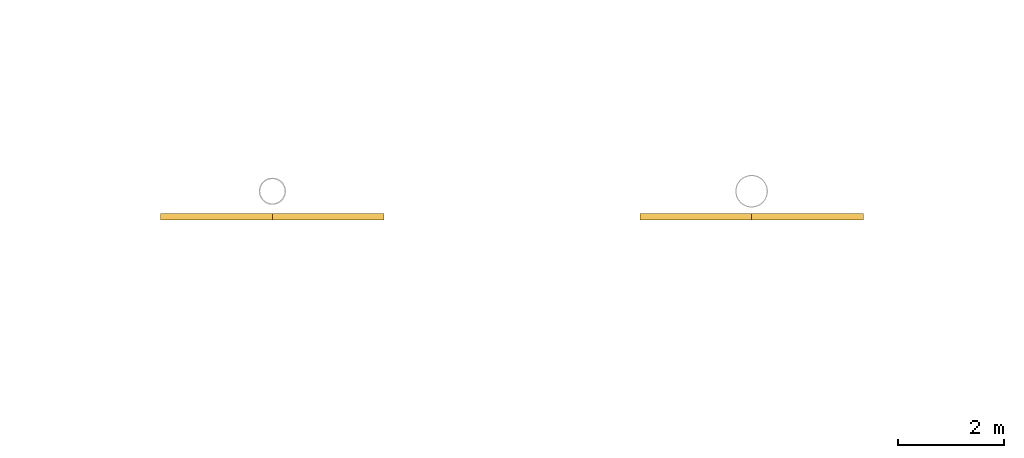
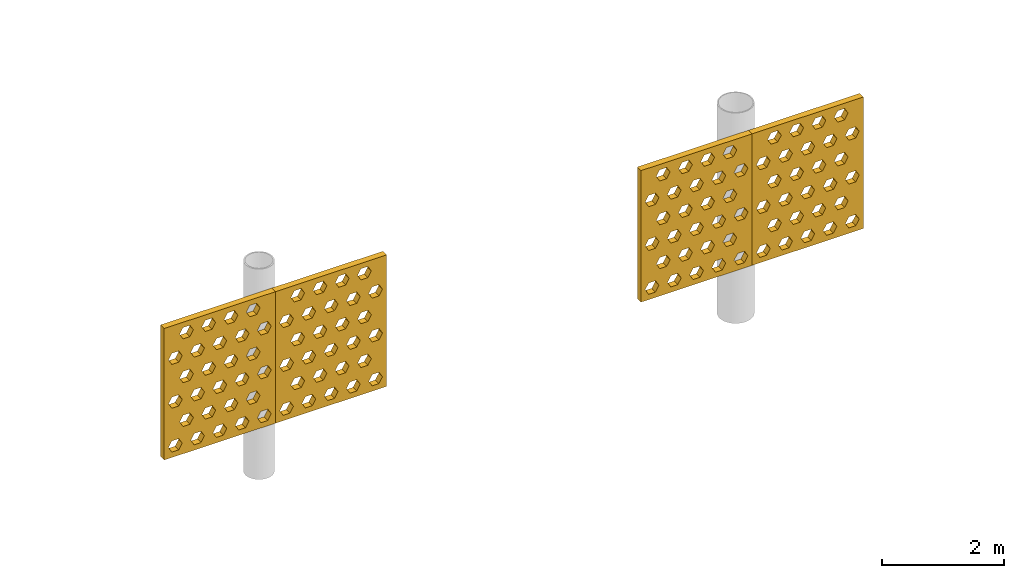
# One storey, part 109 of 123: 4 shading devices.
"""IFC4 building model written with IfcOpenShell, lengths in metres."""

from ifc_helpers import new_model, si_unit, direction, frame, origin, place, context, subcontext, project, spatial, polyline, outline, extrude, material, layer, layer_set, type_object, element, save


model = new_model("IFC4")

# Units and contexts
model_context = context("Model", 3, precision=1e-05, world=origin(), true_north=direction((0.0, 1.0)))
body_context = subcontext(model_context, "Body", "Model", "MODEL_VIEW")
ifc_project = project(units=[si_unit("LENGTHUNIT", "METRE"), si_unit("AREAUNIT", "SQUARE_METRE"), si_unit("VOLUMEUNIT", "CUBIC_METRE"), si_unit("PLANEANGLEUNIT", "RADIAN"), si_unit("MASSUNIT", "GRAM", prefix="KILO")], contexts=[model_context])

# Site, building, storey
site_placement = place(None, origin())
site = spatial("IfcSite", under=ifc_project, at=site_placement, CompositionType="ELEMENT")
building_placement = place(site_placement, origin())
building = spatial("IfcBuilding", under=site, at=building_placement, Name="Baradari Gate Terminus", CompositionType="ELEMENT")
storey_placement = place(building_placement, frame((0.0, 0.0, 7.5)))
storey = spatial("IfcBuildingStorey", under=building, at=storey_placement, Name="L01", CompositionType="ELEMENT", Elevation=7.5)

# Shading devices
ifc_material = material(Name="Concrete C50/60 precast", Category="concrete")
ifc_layer = layer(ifc_material, 0.1201171875)
ifc_layer_set = layer_set([ifc_layer], Name="Concrete C50/60 precast")
shading_device_type = type_object("IfcShadingDeviceType", Name="Jali screen panel JS-2 120", PredefinedType="SHUTTER", material=ifc_layer_set)
shading_device_1_placement = place(storey_placement, frame((222.89990234375, 35.52001953125, 1.27490234375), z_axis=(0.0, 0.0, 1.0), x_axis=(1.0, 0.0, 0.0)))
element("IfcShadingDevice", 1, at=shading_device_1_placement, inside=storey, type_object=shading_device_type, Name="Jali screen panel JS-2 SC07c row 4 panel 1", PredefinedType="SHUTTER", context=body_context, shape_type="SweptSolid", body=[
    extrude(outline(polyline([(0.0, 0.0), (2.10009765625, 0.0), (2.10009765625, 2.625), (0.0, 2.625), (0.0, 0.0)]), holes=[polyline([(0.340087890625, 0.21875), (0.27490234375, 0.106201171875), (0.14501953125, 0.106201171875), (0.080078125, 0.21875), (0.14501953125, 0.33154296875), (0.27490234375, 0.33154296875), (0.340087890625, 0.21875)]), polyline([(0.760009765625, 0.21875), (0.695068359375, 0.106201171875), (0.56494140625, 0.106201171875), (0.5, 0.21875), (0.56494140625, 0.33154296875), (0.695068359375, 0.33154296875), (0.760009765625, 0.21875)]), polyline([(1.179931640625, 0.21875), (1.114990234375, 0.106201171875), (0.985107421875, 0.106201171875), (0.919921875, 0.21875), (0.985107421875, 0.33154296875), (1.114990234375, 0.33154296875), (1.179931640625, 0.21875)]), polyline([(1.60009765625, 0.21875), (1.534912109375, 0.106201171875), (1.405029296875, 0.106201171875), (1.340087890625, 0.21875), (1.405029296875, 0.33154296875), (1.534912109375, 0.33154296875), (1.60009765625, 0.21875)]), polyline([(2.02001953125, 0.21875), (1.955078125, 0.106201171875), (1.824951171875, 0.106201171875), (1.760009765625, 0.21875), (1.824951171875, 0.33154296875), (1.955078125, 0.33154296875), (2.02001953125, 0.21875)]), polyline([(0.550048828125, 0.65625), (0.485107421875, 0.543701171875), (0.35498046875, 0.543701171875), (0.2900390625, 0.65625), (0.35498046875, 0.76904296875), (0.485107421875, 0.76904296875), (0.550048828125, 0.65625)]), polyline([(0.969970703125, 0.65625), (0.905029296875, 0.543701171875), (0.77490234375, 0.543701171875), (0.7099609375, 0.65625), (0.77490234375, 0.76904296875), (0.905029296875, 0.76904296875), (0.969970703125, 0.65625)]), polyline([(1.389892578125, 0.65625), (1.324951171875, 0.543701171875), (1.195068359375, 0.543701171875), (1.1298828125, 0.65625), (1.195068359375, 0.76904296875), (1.324951171875, 0.76904296875), (1.389892578125, 0.65625)]), polyline([(1.81005859375, 0.65625), (1.7451171875, 0.543701171875), (1.614990234375, 0.543701171875), (1.550048828125, 0.65625), (1.614990234375, 0.76904296875), (1.7451171875, 0.76904296875), (1.81005859375, 0.65625)]), polyline([(0.340087890625, 1.09375), (0.27490234375, 0.981201171875), (0.14501953125, 0.981201171875), (0.080078125, 1.09375), (0.14501953125, 1.20654296875), (0.27490234375, 1.20654296875), (0.340087890625, 1.09375)]), polyline([(0.760009765625, 1.09375), (0.695068359375, 0.981201171875), (0.56494140625, 0.981201171875), (0.5, 1.09375), (0.56494140625, 1.20654296875), (0.695068359375, 1.20654296875), (0.760009765625, 1.09375)]), polyline([(1.179931640625, 1.09375), (1.114990234375, 0.981201171875), (0.985107421875, 0.981201171875), (0.919921875, 1.09375), (0.985107421875, 1.20654296875), (1.114990234375, 1.20654296875), (1.179931640625, 1.09375)]), polyline([(1.60009765625, 1.09375), (1.534912109375, 0.981201171875), (1.405029296875, 0.981201171875), (1.340087890625, 1.09375), (1.405029296875, 1.20654296875), (1.534912109375, 1.20654296875), (1.60009765625, 1.09375)]), polyline([(2.02001953125, 1.09375), (1.955078125, 0.981201171875), (1.824951171875, 0.981201171875), (1.760009765625, 1.09375), (1.824951171875, 1.20654296875), (1.955078125, 1.20654296875), (2.02001953125, 1.09375)]), polyline([(0.550048828125, 1.53125), (0.485107421875, 1.418701171875), (0.35498046875, 1.418701171875), (0.2900390625, 1.53125), (0.35498046875, 1.64404296875), (0.485107421875, 1.64404296875), (0.550048828125, 1.53125)]), polyline([(0.969970703125, 1.53125), (0.905029296875, 1.418701171875), (0.77490234375, 1.418701171875), (0.7099609375, 1.53125), (0.77490234375, 1.64404296875), (0.905029296875, 1.64404296875), (0.969970703125, 1.53125)]), polyline([(1.389892578125, 1.53125), (1.324951171875, 1.418701171875), (1.195068359375, 1.418701171875), (1.1298828125, 1.53125), (1.195068359375, 1.64404296875), (1.324951171875, 1.64404296875), (1.389892578125, 1.53125)]), polyline([(1.81005859375, 1.53125), (1.7451171875, 1.418701171875), (1.614990234375, 1.418701171875), (1.550048828125, 1.53125), (1.614990234375, 1.64404296875), (1.7451171875, 1.64404296875), (1.81005859375, 1.53125)]), polyline([(0.340087890625, 1.96875), (0.27490234375, 1.856201171875), (0.14501953125, 1.856201171875), (0.080078125, 1.96875), (0.14501953125, 2.08154296875), (0.27490234375, 2.08154296875), (0.340087890625, 1.96875)]), polyline([(0.760009765625, 1.96875), (0.695068359375, 1.856201171875), (0.56494140625, 1.856201171875), (0.5, 1.96875), (0.56494140625, 2.08154296875), (0.695068359375, 2.08154296875), (0.760009765625, 1.96875)]), polyline([(1.179931640625, 1.96875), (1.114990234375, 1.856201171875), (0.985107421875, 1.856201171875), (0.919921875, 1.96875), (0.985107421875, 2.08154296875), (1.114990234375, 2.08154296875), (1.179931640625, 1.96875)]), polyline([(1.60009765625, 1.96875), (1.534912109375, 1.856201171875), (1.405029296875, 1.856201171875), (1.340087890625, 1.96875), (1.405029296875, 2.08154296875), (1.534912109375, 2.08154296875), (1.60009765625, 1.96875)]), polyline([(2.02001953125, 1.96875), (1.955078125, 1.856201171875), (1.824951171875, 1.856201171875), (1.760009765625, 1.96875), (1.824951171875, 2.08154296875), (1.955078125, 2.08154296875), (2.02001953125, 1.96875)]), polyline([(0.550048828125, 2.40625), (0.485107421875, 2.293701171875), (0.35498046875, 2.293701171875), (0.2900390625, 2.40625), (0.35498046875, 2.51904296875), (0.485107421875, 2.51904296875), (0.550048828125, 2.40625)]), polyline([(0.969970703125, 2.40625), (0.905029296875, 2.293701171875), (0.77490234375, 2.293701171875), (0.7099609375, 2.40625), (0.77490234375, 2.51904296875), (0.905029296875, 2.51904296875), (0.969970703125, 2.40625)]), polyline([(1.389892578125, 2.40625), (1.324951171875, 2.293701171875), (1.195068359375, 2.293701171875), (1.1298828125, 2.40625), (1.195068359375, 2.51904296875), (1.324951171875, 2.51904296875), (1.389892578125, 2.40625)]), polyline([(1.81005859375, 2.40625), (1.7451171875, 2.293701171875), (1.614990234375, 2.293701171875), (1.550048828125, 2.40625), (1.614990234375, 2.51904296875), (1.7451171875, 2.51904296875), (1.81005859375, 2.40625)])]), frame((0.0, 0.06005859375, 0.0), z_axis=(0.0, -1.0, 0.0), x_axis=(1.0, 0.0, 0.0)), (0.0, 0.0, 1.0), 0.1201171875),
])
shading_device_2_placement = place(storey_placement, frame((225.0, 35.52001953125, 1.27490234375), z_axis=(0.0, 0.0, 1.0), x_axis=(1.0, 0.0, 0.0)))
element("IfcShadingDevice", 2, at=shading_device_2_placement, inside=storey, type_object=shading_device_type, Name="Jali screen panel JS-2 SC08a row 4 panel 1", PredefinedType="SHUTTER", context=body_context, shape_type="SweptSolid", body=[
    extrude(outline(polyline([(0.0, 0.0), (2.10009765625, 0.0), (2.10009765625, 2.625), (0.0, 2.625), (0.0, 0.0)]), holes=[polyline([(0.340087890625, 0.21875), (0.27490234375, 0.106201171875), (0.14501953125, 0.106201171875), (0.080078125, 0.21875), (0.14501953125, 0.33154296875), (0.27490234375, 0.33154296875), (0.340087890625, 0.21875)]), polyline([(0.760009765625, 0.21875), (0.695068359375, 0.106201171875), (0.56494140625, 0.106201171875), (0.5, 0.21875), (0.56494140625, 0.33154296875), (0.695068359375, 0.33154296875), (0.760009765625, 0.21875)]), polyline([(1.179931640625, 0.21875), (1.114990234375, 0.106201171875), (0.985107421875, 0.106201171875), (0.919921875, 0.21875), (0.985107421875, 0.33154296875), (1.114990234375, 0.33154296875), (1.179931640625, 0.21875)]), polyline([(1.60009765625, 0.21875), (1.534912109375, 0.106201171875), (1.405029296875, 0.106201171875), (1.340087890625, 0.21875), (1.405029296875, 0.33154296875), (1.534912109375, 0.33154296875), (1.60009765625, 0.21875)]), polyline([(2.02001953125, 0.21875), (1.955078125, 0.106201171875), (1.824951171875, 0.106201171875), (1.760009765625, 0.21875), (1.824951171875, 0.33154296875), (1.955078125, 0.33154296875), (2.02001953125, 0.21875)]), polyline([(0.550048828125, 0.65625), (0.485107421875, 0.543701171875), (0.35498046875, 0.543701171875), (0.2900390625, 0.65625), (0.35498046875, 0.76904296875), (0.485107421875, 0.76904296875), (0.550048828125, 0.65625)]), polyline([(0.969970703125, 0.65625), (0.905029296875, 0.543701171875), (0.77490234375, 0.543701171875), (0.7099609375, 0.65625), (0.77490234375, 0.76904296875), (0.905029296875, 0.76904296875), (0.969970703125, 0.65625)]), polyline([(1.389892578125, 0.65625), (1.324951171875, 0.543701171875), (1.195068359375, 0.543701171875), (1.1298828125, 0.65625), (1.195068359375, 0.76904296875), (1.324951171875, 0.76904296875), (1.389892578125, 0.65625)]), polyline([(1.81005859375, 0.65625), (1.7451171875, 0.543701171875), (1.614990234375, 0.543701171875), (1.550048828125, 0.65625), (1.614990234375, 0.76904296875), (1.7451171875, 0.76904296875), (1.81005859375, 0.65625)]), polyline([(0.340087890625, 1.09375), (0.27490234375, 0.981201171875), (0.14501953125, 0.981201171875), (0.080078125, 1.09375), (0.14501953125, 1.20654296875), (0.27490234375, 1.20654296875), (0.340087890625, 1.09375)]), polyline([(0.760009765625, 1.09375), (0.695068359375, 0.981201171875), (0.56494140625, 0.981201171875), (0.5, 1.09375), (0.56494140625, 1.20654296875), (0.695068359375, 1.20654296875), (0.760009765625, 1.09375)]), polyline([(1.179931640625, 1.09375), (1.114990234375, 0.981201171875), (0.985107421875, 0.981201171875), (0.919921875, 1.09375), (0.985107421875, 1.20654296875), (1.114990234375, 1.20654296875), (1.179931640625, 1.09375)]), polyline([(1.60009765625, 1.09375), (1.534912109375, 0.981201171875), (1.405029296875, 0.981201171875), (1.340087890625, 1.09375), (1.405029296875, 1.20654296875), (1.534912109375, 1.20654296875), (1.60009765625, 1.09375)]), polyline([(2.02001953125, 1.09375), (1.955078125, 0.981201171875), (1.824951171875, 0.981201171875), (1.760009765625, 1.09375), (1.824951171875, 1.20654296875), (1.955078125, 1.20654296875), (2.02001953125, 1.09375)]), polyline([(0.550048828125, 1.53125), (0.485107421875, 1.418701171875), (0.35498046875, 1.418701171875), (0.2900390625, 1.53125), (0.35498046875, 1.64404296875), (0.485107421875, 1.64404296875), (0.550048828125, 1.53125)]), polyline([(0.969970703125, 1.53125), (0.905029296875, 1.418701171875), (0.77490234375, 1.418701171875), (0.7099609375, 1.53125), (0.77490234375, 1.64404296875), (0.905029296875, 1.64404296875), (0.969970703125, 1.53125)]), polyline([(1.389892578125, 1.53125), (1.324951171875, 1.418701171875), (1.195068359375, 1.418701171875), (1.1298828125, 1.53125), (1.195068359375, 1.64404296875), (1.324951171875, 1.64404296875), (1.389892578125, 1.53125)]), polyline([(1.81005859375, 1.53125), (1.7451171875, 1.418701171875), (1.614990234375, 1.418701171875), (1.550048828125, 1.53125), (1.614990234375, 1.64404296875), (1.7451171875, 1.64404296875), (1.81005859375, 1.53125)]), polyline([(0.340087890625, 1.96875), (0.27490234375, 1.856201171875), (0.14501953125, 1.856201171875), (0.080078125, 1.96875), (0.14501953125, 2.08154296875), (0.27490234375, 2.08154296875), (0.340087890625, 1.96875)]), polyline([(0.760009765625, 1.96875), (0.695068359375, 1.856201171875), (0.56494140625, 1.856201171875), (0.5, 1.96875), (0.56494140625, 2.08154296875), (0.695068359375, 2.08154296875), (0.760009765625, 1.96875)]), polyline([(1.179931640625, 1.96875), (1.114990234375, 1.856201171875), (0.985107421875, 1.856201171875), (0.919921875, 1.96875), (0.985107421875, 2.08154296875), (1.114990234375, 2.08154296875), (1.179931640625, 1.96875)]), polyline([(1.60009765625, 1.96875), (1.534912109375, 1.856201171875), (1.405029296875, 1.856201171875), (1.340087890625, 1.96875), (1.405029296875, 2.08154296875), (1.534912109375, 2.08154296875), (1.60009765625, 1.96875)]), polyline([(2.02001953125, 1.96875), (1.955078125, 1.856201171875), (1.824951171875, 1.856201171875), (1.760009765625, 1.96875), (1.824951171875, 2.08154296875), (1.955078125, 2.08154296875), (2.02001953125, 1.96875)]), polyline([(0.550048828125, 2.40625), (0.485107421875, 2.293701171875), (0.35498046875, 2.293701171875), (0.2900390625, 2.40625), (0.35498046875, 2.51904296875), (0.485107421875, 2.51904296875), (0.550048828125, 2.40625)]), polyline([(0.969970703125, 2.40625), (0.905029296875, 2.293701171875), (0.77490234375, 2.293701171875), (0.7099609375, 2.40625), (0.77490234375, 2.51904296875), (0.905029296875, 2.51904296875), (0.969970703125, 2.40625)]), polyline([(1.389892578125, 2.40625), (1.324951171875, 2.293701171875), (1.195068359375, 2.293701171875), (1.1298828125, 2.40625), (1.195068359375, 2.51904296875), (1.324951171875, 2.51904296875), (1.389892578125, 2.40625)]), polyline([(1.81005859375, 2.40625), (1.7451171875, 2.293701171875), (1.614990234375, 2.293701171875), (1.550048828125, 2.40625), (1.614990234375, 2.51904296875), (1.7451171875, 2.51904296875), (1.81005859375, 2.40625)])]), frame((0.0, 0.06005859375, 0.0), z_axis=(0.0, -1.0, 0.0), x_axis=(1.0, 0.0, 0.0)), (0.0, 0.0, 1.0), 0.1201171875),
])
shading_device_3_placement = place(storey_placement, frame((231.89990234375, 35.52001953125, 1.27490234375), z_axis=(0.0, 0.0, 1.0), x_axis=(1.0, 0.0, 0.0)))
element("IfcShadingDevice", 3, at=shading_device_3_placement, inside=storey, type_object=shading_device_type, Name="Jali screen panel JS-2 SC08c row 4 panel 1", PredefinedType="SHUTTER", context=body_context, shape_type="SweptSolid", body=[
    extrude(outline(polyline([(0.0, 0.0), (2.10009765625, 0.0), (2.10009765625, 2.625), (0.0, 2.625), (0.0, 0.0)]), holes=[polyline([(0.340087890625, 0.21875), (0.27490234375, 0.106201171875), (0.14501953125, 0.106201171875), (0.080078125, 0.21875), (0.14501953125, 0.33154296875), (0.27490234375, 0.33154296875), (0.340087890625, 0.21875)]), polyline([(0.760009765625, 0.21875), (0.695068359375, 0.106201171875), (0.56494140625, 0.106201171875), (0.5, 0.21875), (0.56494140625, 0.33154296875), (0.695068359375, 0.33154296875), (0.760009765625, 0.21875)]), polyline([(1.179931640625, 0.21875), (1.114990234375, 0.106201171875), (0.985107421875, 0.106201171875), (0.919921875, 0.21875), (0.985107421875, 0.33154296875), (1.114990234375, 0.33154296875), (1.179931640625, 0.21875)]), polyline([(1.60009765625, 0.21875), (1.534912109375, 0.106201171875), (1.405029296875, 0.106201171875), (1.340087890625, 0.21875), (1.405029296875, 0.33154296875), (1.534912109375, 0.33154296875), (1.60009765625, 0.21875)]), polyline([(2.02001953125, 0.21875), (1.955078125, 0.106201171875), (1.824951171875, 0.106201171875), (1.760009765625, 0.21875), (1.824951171875, 0.33154296875), (1.955078125, 0.33154296875), (2.02001953125, 0.21875)]), polyline([(0.550048828125, 0.65625), (0.485107421875, 0.543701171875), (0.35498046875, 0.543701171875), (0.2900390625, 0.65625), (0.35498046875, 0.76904296875), (0.485107421875, 0.76904296875), (0.550048828125, 0.65625)]), polyline([(0.969970703125, 0.65625), (0.905029296875, 0.543701171875), (0.77490234375, 0.543701171875), (0.7099609375, 0.65625), (0.77490234375, 0.76904296875), (0.905029296875, 0.76904296875), (0.969970703125, 0.65625)]), polyline([(1.389892578125, 0.65625), (1.324951171875, 0.543701171875), (1.195068359375, 0.543701171875), (1.1298828125, 0.65625), (1.195068359375, 0.76904296875), (1.324951171875, 0.76904296875), (1.389892578125, 0.65625)]), polyline([(1.81005859375, 0.65625), (1.7451171875, 0.543701171875), (1.614990234375, 0.543701171875), (1.550048828125, 0.65625), (1.614990234375, 0.76904296875), (1.7451171875, 0.76904296875), (1.81005859375, 0.65625)]), polyline([(0.340087890625, 1.09375), (0.27490234375, 0.981201171875), (0.14501953125, 0.981201171875), (0.080078125, 1.09375), (0.14501953125, 1.20654296875), (0.27490234375, 1.20654296875), (0.340087890625, 1.09375)]), polyline([(0.760009765625, 1.09375), (0.695068359375, 0.981201171875), (0.56494140625, 0.981201171875), (0.5, 1.09375), (0.56494140625, 1.20654296875), (0.695068359375, 1.20654296875), (0.760009765625, 1.09375)]), polyline([(1.179931640625, 1.09375), (1.114990234375, 0.981201171875), (0.985107421875, 0.981201171875), (0.919921875, 1.09375), (0.985107421875, 1.20654296875), (1.114990234375, 1.20654296875), (1.179931640625, 1.09375)]), polyline([(1.60009765625, 1.09375), (1.534912109375, 0.981201171875), (1.405029296875, 0.981201171875), (1.340087890625, 1.09375), (1.405029296875, 1.20654296875), (1.534912109375, 1.20654296875), (1.60009765625, 1.09375)]), polyline([(2.02001953125, 1.09375), (1.955078125, 0.981201171875), (1.824951171875, 0.981201171875), (1.760009765625, 1.09375), (1.824951171875, 1.20654296875), (1.955078125, 1.20654296875), (2.02001953125, 1.09375)]), polyline([(0.550048828125, 1.53125), (0.485107421875, 1.418701171875), (0.35498046875, 1.418701171875), (0.2900390625, 1.53125), (0.35498046875, 1.64404296875), (0.485107421875, 1.64404296875), (0.550048828125, 1.53125)]), polyline([(0.969970703125, 1.53125), (0.905029296875, 1.418701171875), (0.77490234375, 1.418701171875), (0.7099609375, 1.53125), (0.77490234375, 1.64404296875), (0.905029296875, 1.64404296875), (0.969970703125, 1.53125)]), polyline([(1.389892578125, 1.53125), (1.324951171875, 1.418701171875), (1.195068359375, 1.418701171875), (1.1298828125, 1.53125), (1.195068359375, 1.64404296875), (1.324951171875, 1.64404296875), (1.389892578125, 1.53125)]), polyline([(1.81005859375, 1.53125), (1.7451171875, 1.418701171875), (1.614990234375, 1.418701171875), (1.550048828125, 1.53125), (1.614990234375, 1.64404296875), (1.7451171875, 1.64404296875), (1.81005859375, 1.53125)]), polyline([(0.340087890625, 1.96875), (0.27490234375, 1.856201171875), (0.14501953125, 1.856201171875), (0.080078125, 1.96875), (0.14501953125, 2.08154296875), (0.27490234375, 2.08154296875), (0.340087890625, 1.96875)]), polyline([(0.760009765625, 1.96875), (0.695068359375, 1.856201171875), (0.56494140625, 1.856201171875), (0.5, 1.96875), (0.56494140625, 2.08154296875), (0.695068359375, 2.08154296875), (0.760009765625, 1.96875)]), polyline([(1.179931640625, 1.96875), (1.114990234375, 1.856201171875), (0.985107421875, 1.856201171875), (0.919921875, 1.96875), (0.985107421875, 2.08154296875), (1.114990234375, 2.08154296875), (1.179931640625, 1.96875)]), polyline([(1.60009765625, 1.96875), (1.534912109375, 1.856201171875), (1.405029296875, 1.856201171875), (1.340087890625, 1.96875), (1.405029296875, 2.08154296875), (1.534912109375, 2.08154296875), (1.60009765625, 1.96875)]), polyline([(2.02001953125, 1.96875), (1.955078125, 1.856201171875), (1.824951171875, 1.856201171875), (1.760009765625, 1.96875), (1.824951171875, 2.08154296875), (1.955078125, 2.08154296875), (2.02001953125, 1.96875)]), polyline([(0.550048828125, 2.40625), (0.485107421875, 2.293701171875), (0.35498046875, 2.293701171875), (0.2900390625, 2.40625), (0.35498046875, 2.51904296875), (0.485107421875, 2.51904296875), (0.550048828125, 2.40625)]), polyline([(0.969970703125, 2.40625), (0.905029296875, 2.293701171875), (0.77490234375, 2.293701171875), (0.7099609375, 2.40625), (0.77490234375, 2.51904296875), (0.905029296875, 2.51904296875), (0.969970703125, 2.40625)]), polyline([(1.389892578125, 2.40625), (1.324951171875, 2.293701171875), (1.195068359375, 2.293701171875), (1.1298828125, 2.40625), (1.195068359375, 2.51904296875), (1.324951171875, 2.51904296875), (1.389892578125, 2.40625)]), polyline([(1.81005859375, 2.40625), (1.7451171875, 2.293701171875), (1.614990234375, 2.293701171875), (1.550048828125, 2.40625), (1.614990234375, 2.51904296875), (1.7451171875, 2.51904296875), (1.81005859375, 2.40625)])]), frame((0.0, 0.06005859375, 0.0), z_axis=(0.0, -1.0, 0.0), x_axis=(1.0, 0.0, 0.0)), (0.0, 0.0, 1.0), 0.1201171875),
])
shading_device_4_placement = place(storey_placement, frame((234.0, 35.52001953125, 1.27490234375), z_axis=(0.0, 0.0, 1.0), x_axis=(1.0, 0.0, 0.0)))
element("IfcShadingDevice", 4, at=shading_device_4_placement, inside=storey, type_object=shading_device_type, Name="Jali screen panel JS-2 SC09a row 4 panel 1", PredefinedType="SHUTTER", context=body_context, shape_type="SweptSolid", body=[
    extrude(outline(polyline([(0.0, 0.0), (2.10009765625, 0.0), (2.10009765625, 2.625), (0.0, 2.625), (0.0, 0.0)]), holes=[polyline([(0.340087890625, 0.21875), (0.27490234375, 0.106201171875), (0.14501953125, 0.106201171875), (0.080078125, 0.21875), (0.14501953125, 0.33154296875), (0.27490234375, 0.33154296875), (0.340087890625, 0.21875)]), polyline([(0.760009765625, 0.21875), (0.695068359375, 0.106201171875), (0.56494140625, 0.106201171875), (0.5, 0.21875), (0.56494140625, 0.33154296875), (0.695068359375, 0.33154296875), (0.760009765625, 0.21875)]), polyline([(1.179931640625, 0.21875), (1.114990234375, 0.106201171875), (0.985107421875, 0.106201171875), (0.919921875, 0.21875), (0.985107421875, 0.33154296875), (1.114990234375, 0.33154296875), (1.179931640625, 0.21875)]), polyline([(1.60009765625, 0.21875), (1.534912109375, 0.106201171875), (1.405029296875, 0.106201171875), (1.340087890625, 0.21875), (1.405029296875, 0.33154296875), (1.534912109375, 0.33154296875), (1.60009765625, 0.21875)]), polyline([(2.02001953125, 0.21875), (1.955078125, 0.106201171875), (1.824951171875, 0.106201171875), (1.760009765625, 0.21875), (1.824951171875, 0.33154296875), (1.955078125, 0.33154296875), (2.02001953125, 0.21875)]), polyline([(0.550048828125, 0.65625), (0.485107421875, 0.543701171875), (0.35498046875, 0.543701171875), (0.2900390625, 0.65625), (0.35498046875, 0.76904296875), (0.485107421875, 0.76904296875), (0.550048828125, 0.65625)]), polyline([(0.969970703125, 0.65625), (0.905029296875, 0.543701171875), (0.77490234375, 0.543701171875), (0.7099609375, 0.65625), (0.77490234375, 0.76904296875), (0.905029296875, 0.76904296875), (0.969970703125, 0.65625)]), polyline([(1.389892578125, 0.65625), (1.324951171875, 0.543701171875), (1.195068359375, 0.543701171875), (1.1298828125, 0.65625), (1.195068359375, 0.76904296875), (1.324951171875, 0.76904296875), (1.389892578125, 0.65625)]), polyline([(1.81005859375, 0.65625), (1.7451171875, 0.543701171875), (1.614990234375, 0.543701171875), (1.550048828125, 0.65625), (1.614990234375, 0.76904296875), (1.7451171875, 0.76904296875), (1.81005859375, 0.65625)]), polyline([(0.340087890625, 1.09375), (0.27490234375, 0.981201171875), (0.14501953125, 0.981201171875), (0.080078125, 1.09375), (0.14501953125, 1.20654296875), (0.27490234375, 1.20654296875), (0.340087890625, 1.09375)]), polyline([(0.760009765625, 1.09375), (0.695068359375, 0.981201171875), (0.56494140625, 0.981201171875), (0.5, 1.09375), (0.56494140625, 1.20654296875), (0.695068359375, 1.20654296875), (0.760009765625, 1.09375)]), polyline([(1.179931640625, 1.09375), (1.114990234375, 0.981201171875), (0.985107421875, 0.981201171875), (0.919921875, 1.09375), (0.985107421875, 1.20654296875), (1.114990234375, 1.20654296875), (1.179931640625, 1.09375)]), polyline([(1.60009765625, 1.09375), (1.534912109375, 0.981201171875), (1.405029296875, 0.981201171875), (1.340087890625, 1.09375), (1.405029296875, 1.20654296875), (1.534912109375, 1.20654296875), (1.60009765625, 1.09375)]), polyline([(2.02001953125, 1.09375), (1.955078125, 0.981201171875), (1.824951171875, 0.981201171875), (1.760009765625, 1.09375), (1.824951171875, 1.20654296875), (1.955078125, 1.20654296875), (2.02001953125, 1.09375)]), polyline([(0.550048828125, 1.53125), (0.485107421875, 1.418701171875), (0.35498046875, 1.418701171875), (0.2900390625, 1.53125), (0.35498046875, 1.64404296875), (0.485107421875, 1.64404296875), (0.550048828125, 1.53125)]), polyline([(0.969970703125, 1.53125), (0.905029296875, 1.418701171875), (0.77490234375, 1.418701171875), (0.7099609375, 1.53125), (0.77490234375, 1.64404296875), (0.905029296875, 1.64404296875), (0.969970703125, 1.53125)]), polyline([(1.389892578125, 1.53125), (1.324951171875, 1.418701171875), (1.195068359375, 1.418701171875), (1.1298828125, 1.53125), (1.195068359375, 1.64404296875), (1.324951171875, 1.64404296875), (1.389892578125, 1.53125)]), polyline([(1.81005859375, 1.53125), (1.7451171875, 1.418701171875), (1.614990234375, 1.418701171875), (1.550048828125, 1.53125), (1.614990234375, 1.64404296875), (1.7451171875, 1.64404296875), (1.81005859375, 1.53125)]), polyline([(0.340087890625, 1.96875), (0.27490234375, 1.856201171875), (0.14501953125, 1.856201171875), (0.080078125, 1.96875), (0.14501953125, 2.08154296875), (0.27490234375, 2.08154296875), (0.340087890625, 1.96875)]), polyline([(0.760009765625, 1.96875), (0.695068359375, 1.856201171875), (0.56494140625, 1.856201171875), (0.5, 1.96875), (0.56494140625, 2.08154296875), (0.695068359375, 2.08154296875), (0.760009765625, 1.96875)]), polyline([(1.179931640625, 1.96875), (1.114990234375, 1.856201171875), (0.985107421875, 1.856201171875), (0.919921875, 1.96875), (0.985107421875, 2.08154296875), (1.114990234375, 2.08154296875), (1.179931640625, 1.96875)]), polyline([(1.60009765625, 1.96875), (1.534912109375, 1.856201171875), (1.405029296875, 1.856201171875), (1.340087890625, 1.96875), (1.405029296875, 2.08154296875), (1.534912109375, 2.08154296875), (1.60009765625, 1.96875)]), polyline([(2.02001953125, 1.96875), (1.955078125, 1.856201171875), (1.824951171875, 1.856201171875), (1.760009765625, 1.96875), (1.824951171875, 2.08154296875), (1.955078125, 2.08154296875), (2.02001953125, 1.96875)]), polyline([(0.550048828125, 2.40625), (0.485107421875, 2.293701171875), (0.35498046875, 2.293701171875), (0.2900390625, 2.40625), (0.35498046875, 2.51904296875), (0.485107421875, 2.51904296875), (0.550048828125, 2.40625)]), polyline([(0.969970703125, 2.40625), (0.905029296875, 2.293701171875), (0.77490234375, 2.293701171875), (0.7099609375, 2.40625), (0.77490234375, 2.51904296875), (0.905029296875, 2.51904296875), (0.969970703125, 2.40625)]), polyline([(1.389892578125, 2.40625), (1.324951171875, 2.293701171875), (1.195068359375, 2.293701171875), (1.1298828125, 2.40625), (1.195068359375, 2.51904296875), (1.324951171875, 2.51904296875), (1.389892578125, 2.40625)]), polyline([(1.81005859375, 2.40625), (1.7451171875, 2.293701171875), (1.614990234375, 2.293701171875), (1.550048828125, 2.40625), (1.614990234375, 2.51904296875), (1.7451171875, 2.51904296875), (1.81005859375, 2.40625)])]), frame((0.0, 0.06005859375, 0.0), z_axis=(0.0, -1.0, 0.0), x_axis=(1.0, 0.0, 0.0)), (0.0, 0.0, 1.0), 0.1201171875),
])

save(model, "model.ifc")
